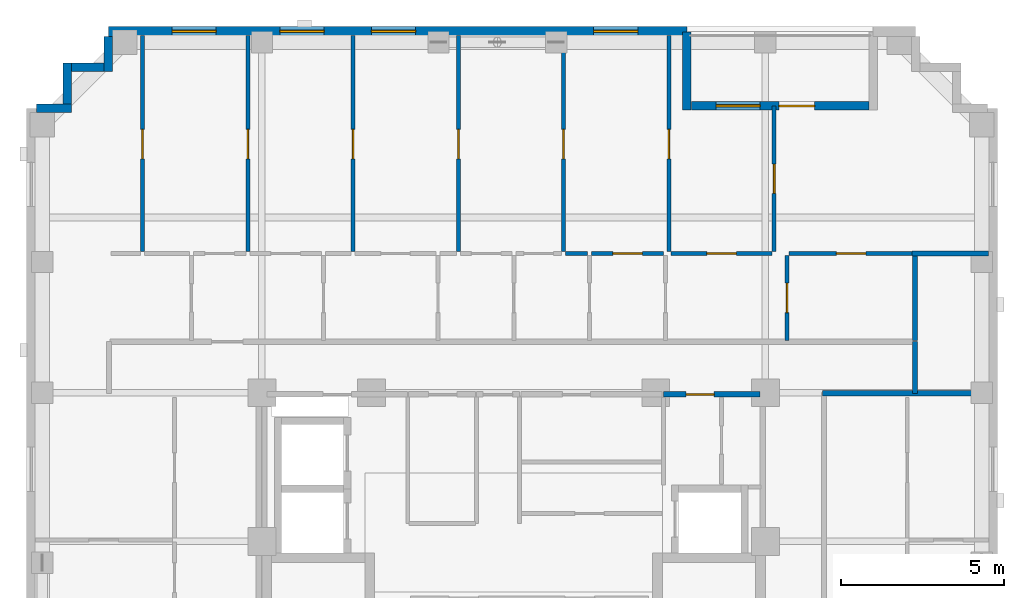
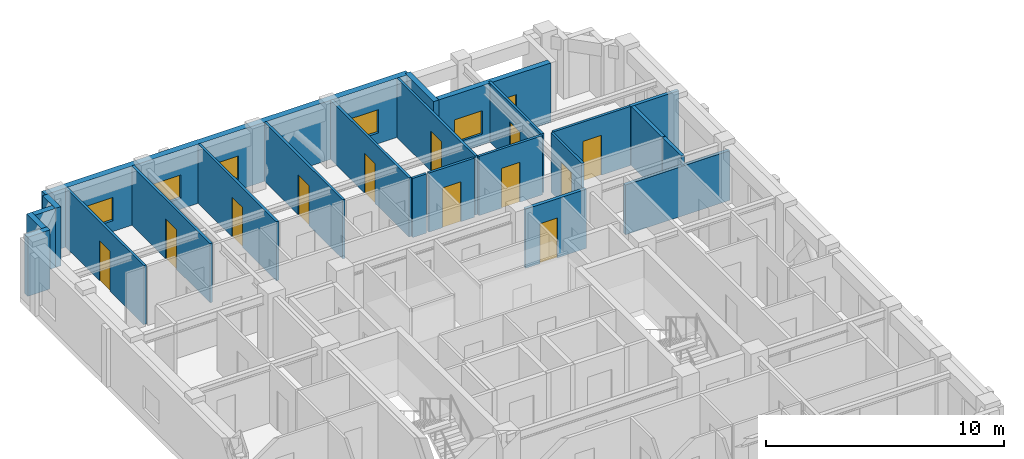
# One storey, part 7 of 11: 24 walls, 13 doors, 5 windows, 18 openings.
"""IFC4 building model written with IfcOpenShell, lengths in metres."""

from ifc_helpers import new_model, si_unit, derived_unit, direction, frame, frame_2d, origin, place, context, subcontext, project, spatial, rectangle, extrude, material, layer, layer_set, type_object, element, fill, save


model = new_model("IFC4")

# Units and contexts
model_context = context("Model", 3, precision=1e-05, world=origin(), true_north=direction((0.0, 1.0)))
body_context = subcontext(model_context, "Body", "Model", "MODEL_VIEW")
ifc_project = project(units=[si_unit("LENGTHUNIT", "METRE"), si_unit("AREAUNIT", "SQUARE_METRE"), si_unit("VOLUMEUNIT", "CUBIC_METRE"), si_unit("PLANEANGLEUNIT", "RADIAN"), si_unit("MASSUNIT", "GRAM", prefix="KILO"), derived_unit("THERMALTRANSMITTANCEUNIT", [(si_unit("MASSUNIT", "GRAM", prefix="KILO"), 1), (si_unit("TIMEUNIT", "SECOND"), -3), (si_unit("THERMODYNAMICTEMPERATUREUNIT", "KELVIN"), -1)])], contexts=[model_context])

# Site, building, storey
site_placement = place(None, origin())
site = spatial("IfcSite", under=ifc_project, at=site_placement, CompositionType="ELEMENT")
building_placement = place(site_placement, origin())
building = spatial("IfcBuilding", under=site, at=building_placement, Name="Korrvale Station Residences", CompositionType="ELEMENT")
storey_placement = place(building_placement, frame((0.0, 0.0, 194.199951171875)))
storey = spatial("IfcBuildingStorey", under=building, at=storey_placement, Name="L56", CompositionType="ELEMENT", Elevation=194.199951171875)

# Wall
ifc_material_1 = material(Name="Precast concrete C45/55", Category="concrete")
ifc_layer_1 = layer(ifc_material_1, 0.260009765625, Name="Precast concrete C45/55")
ifc_layer_set_1 = layer_set([ifc_layer_1], Name="Precast concrete C45/55")
wall_type_1 = type_object("IfcWallType", Name="WAL-EXT-LOG260", PredefinedType="SOLIDWALL", material=ifc_layer_set_1)
wall_1_placement = place(storey_placement, frame((30.800048828125, 40.0400390625, 0.0), z_axis=(0.0, 0.0, 1.0), x_axis=(0.0, -1.0, 0.0)))
element("IfcWall", 1, at=wall_1_placement, inside=storey, type_object=wall_type_1, Name="L56 Recessed Loggia Wall BAL-L56-N1-L", PredefinedType="SOLIDWALL", context=body_context, shape_type="SweptSolid", body=[
    extrude(rectangle(XDim=2.400146484375, YDim=0.260009765625, at=frame_2d((1.2001953125, 0.0))), origin(), (0.0, 0.0, 1.0), 3.0400390625),
])

# Wall, openings, door, window
wall_2_placement = place(storey_placement, frame((30.93408203125, 37.77001953125, 0.0), z_axis=(0.0, 0.0, 1.0), x_axis=(1.0, 0.0, 0.0)))
wall_2 = element("IfcWall", 2, at=wall_2_placement, inside=storey, type_object=wall_type_1, Name="L56 Recessed Loggia Wall BAL-L56-N1-B", PredefinedType="SOLIDWALL", context=body_context, shape_type="SweptSolid", body=[
    extrude(rectangle(XDim=5.431884765625, YDim=0.260009765625, at=frame_2d((2.7158203125, 0.0))), origin(), (0.0, 0.0, 1.0), 3.0400390625),
])
opening_1_placement = place(wall_2_placement, frame((2.676025390625, 0.0, 0.0)))
opening_1 = element("IfcOpeningElement", 3, at=opening_1_placement, cuts=wall_2, Name="Opening BD-01", PredefinedType="OPENING", context=body_context, shape_type="SweptSolid", body=[
    extrude(rectangle(XDim=1.10009765625, YDim=2.0, at=frame_2d((0.550048828125, 1.0))), frame((0.0, 0.14013671875, 0.0), z_axis=(0.0, -1.0, 0.0), x_axis=(1.0, 0.0, 0.0)), (0.0, 0.0, 1.0), 0.280029296875),
])
opening_2_placement = place(wall_2_placement, frame((0.758056640625, 0.0, 0.550048828125)))
opening_2 = element("IfcOpeningElement", 4, at=opening_2_placement, cuts=wall_2, Name="Opening W-10", PredefinedType="OPENING", context=body_context, shape_type="SweptSolid", body=[
    extrude(rectangle(XDim=1.35009765625, YDim=1.199951171875, at=frame_2d((0.675048828125, 0.60009765625))), frame((0.0, 0.14013671875, 0.0), z_axis=(0.0, -1.0, 0.0), x_axis=(1.0, 0.0, 0.0)), (0.0, 0.0, 1.0), 0.280029296875),
])
ifc_material_2 = material(Name="Exterior thermally broken aluminium glazed balcony door", Category="aluminium")
door_type_1 = type_object("IfcDoorType", Name="DR-EXT-BAL", OperationType="NOTDEFINED", PredefinedType="DOOR", material=ifc_material_2)
door_1_placement = place(opening_1_placement, origin())
door_1 = element("IfcDoor", 5, at=door_1_placement, inside=storey, type_object=door_type_1, Name="L56 Loggia Balcony Door BAL-L56-N1", OperationType="SINGLE_SWING_RIGHT", OverallHeight=2.0, OverallWidth=1.10009765625, PredefinedType="DOOR", context=body_context, shape_type="SweptSolid", body=[
    extrude(rectangle(XDim=1.10009765625, YDim=2.0, at=frame_2d((0.550048828125, 1.0))), frame((0.0, 0.02490234375, 0.0), z_axis=(0.0, -1.0, 0.0), x_axis=(1.0, 0.0, 0.0)), (0.0, 0.0, 1.0), 0.050048828125),
])
fill(opening_1, door_1)
ifc_material_3 = material(Name="Thermally broken aluminium frame with triple low-e glazing", Category="aluminium")
window_type = type_object("IfcWindowType", Name="WIN-W10", PartitioningType="SINGLE_PANEL", PredefinedType="WINDOW", material=ifc_material_3)
window_1_placement = place(opening_2_placement, origin())
window_1 = element("IfcWindow", 6, at=window_1_placement, inside=storey, type_object=window_type, Name="L56 Punched Window 11", OverallHeight=1.199951171875, OverallWidth=1.35009765625, PartitioningType="SINGLE_PANEL", PredefinedType="WINDOW", context=body_context, shape_type="SweptSolid", body=[
    extrude(rectangle(XDim=1.35009765625, YDim=1.199951171875, at=frame_2d((0.675048828125, 0.60009765625))), frame((0.0, 0.030029296875, 0.0), z_axis=(0.0, -1.0, 0.0), x_axis=(1.0, 0.0, 0.0)), (0.0, 0.0, 1.0), 0.06005859375),
])
fill(opening_2, window_1)

# Walls
wall_3_placement = place(storey_placement, frame((10.902099609375, 37.699951171875, 0.0), z_axis=(0.0, 0.0, 1.0), x_axis=(1.0, 0.0, 0.0)))
element("IfcWall", 7, at=wall_3_placement, inside=storey, type_object=wall_type_1, Name="L56 Serrated Corner Precast Step NW-1", PredefinedType="SOLIDWALL", context=body_context, shape_type="SweptSolid", body=[
    extrude(rectangle(XDim=1.077880859375, YDim=0.260009765625, at=frame_2d((0.5390625, 0.0))), origin(), (0.0, 0.0, 1.0), 3.0400390625),
])
wall_4_placement = place(storey_placement, frame((11.85009765625, 37.83203125, 0.0), z_axis=(0.0, 0.0, 1.0), x_axis=(0.0, 1.0, 0.0)))
element("IfcWall", 8, at=wall_4_placement, inside=storey, type_object=wall_type_1, Name="L56 Serrated Corner Precast Step NW-2", PredefinedType="SOLIDWALL", context=body_context, shape_type="SweptSolid", body=[
    extrude(rectangle(XDim=1.248046875, YDim=0.260009765625, at=frame_2d((0.6240234375, 0.0))), origin(), (0.0, 0.0, 1.0), 3.0400390625),
])
wall_5_placement = place(storey_placement, frame((11.98193359375, 38.949951171875, 0.0), z_axis=(0.0, 0.0, 1.0), x_axis=(1.0, 0.0, 0.0)))
element("IfcWall", 9, at=wall_5_placement, inside=storey, type_object=wall_type_1, Name="L56 Serrated Corner Precast Step NW-3", PredefinedType="SOLIDWALL", context=body_context, shape_type="SweptSolid", body=[
    extrude(rectangle(XDim=0.986083984375, YDim=0.260009765625, at=frame_2d((0.4931640625, 0.0))), origin(), (0.0, 0.0, 1.0), 3.0400390625),
])
wall_6_placement = place(storey_placement, frame((13.10009765625, 38.820068359375, 0.0), z_axis=(0.0, 0.0, 1.0), x_axis=(0.0, 1.0, 0.0)))
element("IfcWall", 10, at=wall_6_placement, inside=storey, type_object=wall_type_1, Name="L56 Serrated Corner Precast Step NW-4", PredefinedType="SOLIDWALL", context=body_context, shape_type="SweptSolid", body=[
    extrude(rectangle(XDim=1.077880859375, YDim=0.260009765625, at=frame_2d((0.5390625, 0.0))), origin(), (0.0, 0.0, 1.0), 3.0400390625),
])

# Wall, openings, windows
ifc_layer_2 = layer(ifc_material_1, 0.300048828125, Name="Precast concrete C45/55")
ifc_layer_set_2 = layer_set([ifc_layer_2], Name="Precast concrete C45/55")
wall_type_2 = type_object("IfcWallType", Name="WAL-EXT-PC300", PredefinedType="SOLIDWALL", material=ifc_layer_set_2)
wall_7_placement = place(storey_placement, frame((13.10009765625, 40.050048828125, 0.0), z_axis=(0.0, 0.0, 1.0), x_axis=(1.0, 0.0, 0.0)))
wall_7 = element("IfcWall", 11, at=wall_7_placement, inside=storey, type_object=wall_type_2, Name="L56 North Exterior Precast Wall 1", PredefinedType="SOLIDWALL", context=body_context, shape_type="SweptSolid", body=[
    extrude(rectangle(XDim=17.699951171875, YDim=0.300048828125, at=frame_2d((8.85009765625, 0.0))), origin(), (0.0, 0.0, 1.0), 3.0400390625),
])
opening_3_placement = place(wall_7_placement, frame((1.949951171875, 0.0, 0.550048828125)))
opening_3 = element("IfcOpeningElement", 12, at=opening_3_placement, cuts=wall_7, Name="Opening W-10", PredefinedType="OPENING", context=body_context, shape_type="SweptSolid", body=[
    extrude(rectangle(XDim=1.35009765625, YDim=1.199951171875, at=frame_2d((0.675048828125, 0.60009765625))), frame((0.0, 0.16015625, 0.0), z_axis=(0.0, -1.0, 0.0), x_axis=(1.0, 0.0, 0.0)), (0.0, 0.0, 1.0), 0.320068359375),
])
opening_4_placement = place(wall_7_placement, frame((5.25, 0.0, 0.550048828125)))
opening_4 = element("IfcOpeningElement", 13, at=opening_4_placement, cuts=wall_7, Name="Opening W-10", PredefinedType="OPENING", context=body_context, shape_type="SweptSolid", body=[
    extrude(rectangle(XDim=1.35009765625, YDim=1.199951171875, at=frame_2d((0.675048828125, 0.60009765625))), frame((0.0, 0.16015625, 0.0), z_axis=(0.0, -1.0, 0.0), x_axis=(1.0, 0.0, 0.0)), (0.0, 0.0, 1.0), 0.320068359375),
])
opening_5_placement = place(wall_7_placement, frame((8.050048828125, 0.0, 0.550048828125)))
opening_5 = element("IfcOpeningElement", 14, at=opening_5_placement, cuts=wall_7, Name="Opening W-10", PredefinedType="OPENING", context=body_context, shape_type="SweptSolid", body=[
    extrude(rectangle(XDim=1.35009765625, YDim=1.199951171875, at=frame_2d((0.675048828125, 0.60009765625))), frame((0.0, 0.16015625, 0.0), z_axis=(0.0, -1.0, 0.0), x_axis=(1.0, 0.0, 0.0)), (0.0, 0.0, 1.0), 0.320068359375),
])
opening_6_placement = place(wall_7_placement, frame((14.85009765625, 0.0, 0.550048828125)))
opening_6 = element("IfcOpeningElement", 15, at=opening_6_placement, cuts=wall_7, Name="Opening W-10", PredefinedType="OPENING", context=body_context, shape_type="SweptSolid", body=[
    extrude(rectangle(XDim=1.35009765625, YDim=1.199951171875, at=frame_2d((0.675048828125, 0.60009765625))), frame((0.0, 0.16015625, 0.0), z_axis=(0.0, -1.0, 0.0), x_axis=(1.0, 0.0, 0.0)), (0.0, 0.0, 1.0), 0.320068359375),
])
window_2_placement = place(opening_3_placement, origin())
window_2 = element("IfcWindow", 16, at=window_2_placement, inside=storey, type_object=window_type, Name="L56 Punched Window 07", OverallHeight=1.199951171875, OverallWidth=1.35009765625, PartitioningType="SINGLE_PANEL", PredefinedType="WINDOW", context=body_context, shape_type="SweptSolid", body=[
    extrude(rectangle(XDim=1.35009765625, YDim=1.199951171875, at=frame_2d((0.675048828125, 0.60009765625))), frame((0.0, 0.030029296875, 0.0), z_axis=(0.0, -1.0, 0.0), x_axis=(1.0, 0.0, 0.0)), (0.0, 0.0, 1.0), 0.06005859375),
])
fill(opening_3, window_2)
window_3_placement = place(opening_4_placement, origin())
window_3 = element("IfcWindow", 17, at=window_3_placement, inside=storey, type_object=window_type, Name="L56 Punched Window 08", OverallHeight=1.199951171875, OverallWidth=1.35009765625, PartitioningType="SINGLE_PANEL", PredefinedType="WINDOW", context=body_context, shape_type="SweptSolid", body=[
    extrude(rectangle(XDim=1.35009765625, YDim=1.199951171875, at=frame_2d((0.675048828125, 0.60009765625))), frame((0.0, 0.030029296875, 0.0), z_axis=(0.0, -1.0, 0.0), x_axis=(1.0, 0.0, 0.0)), (0.0, 0.0, 1.0), 0.06005859375),
])
fill(opening_4, window_3)
window_4_placement = place(opening_5_placement, origin())
window_4 = element("IfcWindow", 18, at=window_4_placement, inside=storey, type_object=window_type, Name="L56 Punched Window 09", OverallHeight=1.199951171875, OverallWidth=1.35009765625, PartitioningType="SINGLE_PANEL", PredefinedType="WINDOW", context=body_context, shape_type="SweptSolid", body=[
    extrude(rectangle(XDim=1.35009765625, YDim=1.199951171875, at=frame_2d((0.675048828125, 0.60009765625))), frame((0.0, 0.030029296875, 0.0), z_axis=(0.0, -1.0, 0.0), x_axis=(1.0, 0.0, 0.0)), (0.0, 0.0, 1.0), 0.06005859375),
])
fill(opening_5, window_4)
window_5_placement = place(opening_6_placement, origin())
window_5 = element("IfcWindow", 19, at=window_5_placement, inside=storey, type_object=window_type, Name="L56 Punched Window 10", OverallHeight=1.199951171875, OverallWidth=1.35009765625, PartitioningType="SINGLE_PANEL", PredefinedType="WINDOW", context=body_context, shape_type="SweptSolid", body=[
    extrude(rectangle(XDim=1.35009765625, YDim=1.199951171875, at=frame_2d((0.675048828125, 0.60009765625))), frame((0.0, 0.030029296875, 0.0), z_axis=(0.0, -1.0, 0.0), x_axis=(1.0, 0.0, 0.0)), (0.0, 0.0, 1.0), 0.06005859375),
])
fill(opening_6, window_5)

# Wall
ifc_material_4 = material(Name="Acoustic steel-stud gypsum board partition", Category="steel")
ifc_layer_3 = layer(ifc_material_4, 0.1201171875, Name="Acoustic steel-stud gypsum board partition")
ifc_layer_set_3 = layer_set([ifc_layer_3], Name="Acoustic steel-stud gypsum board partition")
wall_type_3 = type_object("IfcWallType", Name="WAL-PART-125", PredefinedType="PARTITIONING", material=ifc_layer_set_3)
wall_8_placement = place(storey_placement, frame((27.090087890625, 33.260009765625, 0.0), z_axis=(0.0, 0.0, 1.0), x_axis=(1.0, 0.0, 0.0)))
element("IfcWall", 20, at=wall_8_placement, inside=storey, type_object=wall_type_3, Name="L56 Suite Partition U03-H413", PredefinedType="PARTITIONING", context=body_context, shape_type="SweptSolid", body=[
    extrude(rectangle(XDim=0.6748046875, YDim=0.1201171875, at=frame_2d((0.33740234375, 0.0))), origin(), (0.0, 0.0, 1.0), 3.0400390625),
])

# Wall, opening, door
wall_9_placement = place(storey_placement, frame((27.885009765625, 33.260009765625, 0.0), z_axis=(0.0, 0.0, 1.0), x_axis=(1.0, 0.0, 0.0)))
wall_9 = element("IfcWall", 21, at=wall_9_placement, inside=storey, type_object=wall_type_3, Name="L56 Suite Partition U03-H513", PredefinedType="PARTITIONING", context=body_context, shape_type="SweptSolid", body=[
    extrude(rectangle(XDim=2.199951171875, YDim=0.1201171875, at=frame_2d((1.10009765625, 0.0))), origin(), (0.0, 0.0, 1.0), 3.0400390625),
])
opening_7_placement = place(wall_9_placement, frame((0.64990234375, 0.0, 0.0)))
opening_7 = element("IfcOpeningElement", 22, at=opening_7_placement, cuts=wall_9, Name="Opening DI-900", PredefinedType="OPENING", context=body_context, shape_type="SweptSolid", body=[
    extrude(rectangle(XDim=0.89990234375, YDim=2.050048828125, at=frame_2d((0.449951171875, 1.02490234375))), frame((0.0, 0.070068359375, 0.0), z_axis=(0.0, -1.0, 0.0), x_axis=(1.0, 0.0, 0.0)), (0.0, 0.0, 1.0), 0.14013671875),
])
ifc_material_5 = material(Name="Painted solid-core timber interior room door", Category="wood")
door_type_2 = type_object("IfcDoorType", Name="DR-INT-900", OperationType="NOTDEFINED", PredefinedType="DOOR", material=ifc_material_5)
door_2_placement = place(opening_7_placement, origin())
door_2 = element("IfcDoor", 23, at=door_2_placement, inside=storey, type_object=door_type_2, Name="L56 Studio Apartment L56-U03 Wardrobe Storage Room Door", OperationType="SINGLE_SWING_RIGHT", OverallHeight=2.050048828125, OverallWidth=0.89990234375, PredefinedType="DOOR", context=body_context, shape_type="SweptSolid", body=[
    extrude(rectangle(XDim=0.89990234375, YDim=2.050048828125, at=frame_2d((0.449951171875, 1.02490234375))), frame((0.0, 0.02490234375, 0.0), z_axis=(0.0, -1.0, 0.0), x_axis=(1.0, 0.0, 0.0)), (0.0, 0.0, 1.0), 0.050048828125),
])
fill(opening_7, door_2)

wall_10_placement = place(storey_placement, frame((33.864990234375, 30.60009765625, 0.0), z_axis=(0.0, 0.0, 1.0), x_axis=(0.0, 1.0, 0.0)))
wall_10 = element("IfcWall", 24, at=wall_10_placement, inside=storey, type_object=wall_type_3, Name="L56 Suite Partition U03-V67", PredefinedType="PARTITIONING", context=body_context, shape_type="SweptSolid", body=[
    extrude(rectangle(XDim=2.599853515625, YDim=0.1201171875, at=frame_2d((1.2998046875, 0.0))), origin(), (0.0, 0.0, 1.0), 3.0400390625),
])
opening_8_placement = place(wall_10_placement, frame((0.85009765625, 0.0, 0.0)))
opening_8 = element("IfcOpeningElement", 25, at=opening_8_placement, cuts=wall_10, Name="Opening DI-900", PredefinedType="OPENING", context=body_context, shape_type="SweptSolid", body=[
    extrude(rectangle(XDim=0.89990234375, YDim=2.050048828125, at=frame_2d((0.449951171875, 1.02490234375))), frame((0.0, 0.070068359375, 0.0), z_axis=(0.0, -1.0, 0.0), x_axis=(1.0, 0.0, 0.0)), (0.0, 0.0, 1.0), 0.14013671875),
])
door_3_placement = place(opening_8_placement, origin())
door_3 = element("IfcDoor", 26, at=door_3_placement, inside=storey, type_object=door_type_2, Name="L56 Studio Apartment L56-U03 Utility and Laundry Room Door", OperationType="SINGLE_SWING_LEFT", OverallHeight=2.050048828125, OverallWidth=0.89990234375, PredefinedType="DOOR", context=body_context, shape_type="SweptSolid", body=[
    extrude(rectangle(XDim=0.89990234375, YDim=2.050048828125, at=frame_2d((0.449951171875, 1.02490234375))), frame((0.0, 0.02490234375, 0.0), z_axis=(0.0, -1.0, 0.0), x_axis=(1.0, 0.0, 0.0)), (0.0, 0.0, 1.0), 0.050048828125),
])
fill(opening_8, door_3)

wall_11_placement = place(storey_placement, frame((30.31005859375, 33.260009765625, 0.0), z_axis=(0.0, 0.0, 1.0), x_axis=(1.0, 0.0, 0.0)))
wall_11 = element("IfcWall", 27, at=wall_11_placement, inside=storey, type_object=wall_type_3, Name="L56 Suite Partition U03-H614", PredefinedType="PARTITIONING", context=body_context, shape_type="SweptSolid", body=[
    extrude(rectangle(XDim=3.099853515625, YDim=0.1201171875, at=frame_2d((1.5498046875, 0.0))), origin(), (0.0, 0.0, 1.0), 3.0400390625),
])
opening_9_placement = place(wall_11_placement, frame((1.10009765625, 0.0, 0.0)))
opening_9 = element("IfcOpeningElement", 28, at=opening_9_placement, cuts=wall_11, Name="Opening DI-900", PredefinedType="OPENING", context=body_context, shape_type="SweptSolid", body=[
    extrude(rectangle(XDim=0.89990234375, YDim=2.050048828125, at=frame_2d((0.449951171875, 1.02490234375))), frame((0.0, 0.070068359375, 0.0), z_axis=(0.0, -1.0, 0.0), x_axis=(1.0, 0.0, 0.0)), (0.0, 0.0, 1.0), 0.14013671875),
])
door_4_placement = place(opening_9_placement, origin())
door_4 = element("IfcDoor", 29, at=door_4_placement, inside=storey, type_object=door_type_2, Name="L56 Studio Apartment L56-U03 Utility and Laundry Room Door", OperationType="SINGLE_SWING_RIGHT", OverallHeight=2.050048828125, OverallWidth=0.89990234375, PredefinedType="DOOR", context=body_context, shape_type="SweptSolid", body=[
    extrude(rectangle(XDim=0.89990234375, YDim=2.050048828125, at=frame_2d((0.449951171875, 1.02490234375))), frame((0.0, 0.02490234375, 0.0), z_axis=(0.0, -1.0, 0.0), x_axis=(1.0, 0.0, 0.0)), (0.0, 0.0, 1.0), 0.050048828125),
])
fill(opening_9, door_4)

wall_12_placement = place(storey_placement, frame((33.925048828125, 33.260009765625, 0.0), z_axis=(0.0, 0.0, 1.0), x_axis=(1.0, 0.0, 0.0)))
wall_12 = element("IfcWall", 30, at=wall_12_placement, inside=storey, type_object=wall_type_3, Name="L56 Suite Partition U03-H715", PredefinedType="PARTITIONING", context=body_context, shape_type="SweptSolid", body=[
    extrude(rectangle(XDim=3.794921875, YDim=0.1201171875, at=frame_2d((1.8974609375, 0.0))), origin(), (0.0, 0.0, 1.0), 3.0400390625),
])
opening_10_placement = place(wall_12_placement, frame((1.447998046875, 0.0, 0.0)))
opening_10 = element("IfcOpeningElement", 31, at=opening_10_placement, cuts=wall_12, Name="Opening DI-900", PredefinedType="OPENING", context=body_context, shape_type="SweptSolid", body=[
    extrude(rectangle(XDim=0.89990234375, YDim=2.050048828125, at=frame_2d((0.449951171875, 1.02490234375))), frame((0.0, 0.070068359375, 0.0), z_axis=(0.0, -1.0, 0.0), x_axis=(1.0, 0.0, 0.0)), (0.0, 0.0, 1.0), 0.14013671875),
])
door_5_placement = place(opening_10_placement, origin())
door_5 = element("IfcDoor", 32, at=door_5_placement, inside=storey, type_object=door_type_2, Name="L56 Studio Apartment L56-U03 Storage Closet 2 Door", OperationType="SINGLE_SWING_LEFT", OverallHeight=2.050048828125, OverallWidth=0.89990234375, PredefinedType="DOOR", context=body_context, shape_type="SweptSolid", body=[
    extrude(rectangle(XDim=0.89990234375, YDim=2.050048828125, at=frame_2d((0.449951171875, 1.02490234375))), frame((0.0, 0.02490234375, 0.0), z_axis=(0.0, -1.0, 0.0), x_axis=(1.0, 0.0, 0.0)), (0.0, 0.0, 1.0), 0.050048828125),
])
fill(opening_10, door_5)

wall_13_placement = place(storey_placement, frame((14.14990234375, 33.320068359375, 0.0), z_axis=(0.0, 0.0, 1.0), x_axis=(0.0, 1.0, 0.0)))
wall_13 = element("IfcWall", 33, at=wall_13_placement, inside=storey, type_object=wall_type_3, Name="L56 Suite Partition U03-V89", PredefinedType="PARTITIONING", context=body_context, shape_type="SweptSolid", body=[
    extrude(rectangle(XDim=6.599853515625, YDim=0.1201171875, at=frame_2d((3.2998046875, 0.0))), origin(), (0.0, 0.0, 1.0), 3.0400390625),
])
opening_11_placement = place(wall_13_placement, frame((2.8349609375, 0.0, 0.0)))
opening_11 = element("IfcOpeningElement", 34, at=opening_11_placement, cuts=wall_13, Name="Opening DI-900", PredefinedType="OPENING", context=body_context, shape_type="SweptSolid", body=[
    extrude(rectangle(XDim=0.89990234375, YDim=2.050048828125, at=frame_2d((0.449951171875, 1.02490234375))), frame((0.0, 0.070068359375, 0.0), z_axis=(0.0, -1.0, 0.0), x_axis=(1.0, 0.0, 0.0)), (0.0, 0.0, 1.0), 0.14013671875),
])
door_6_placement = place(opening_11_placement, origin())
door_6 = element("IfcDoor", 35, at=door_6_placement, inside=storey, type_object=door_type_2, Name="L56 Studio Apartment L56-U03 Walk-In Wardrobe Door", OperationType="SINGLE_SWING_RIGHT", OverallHeight=2.050048828125, OverallWidth=0.89990234375, PredefinedType="DOOR", context=body_context, shape_type="SweptSolid", body=[
    extrude(rectangle(XDim=0.89990234375, YDim=2.050048828125, at=frame_2d((0.449951171875, 1.02490234375))), frame((0.0, 0.02490234375, 0.0), z_axis=(0.0, -1.0, 0.0), x_axis=(1.0, 0.0, 0.0)), (0.0, 0.0, 1.0), 0.050048828125),
])
fill(opening_11, door_6)

wall_14_placement = place(storey_placement, frame((17.3701171875, 33.320068359375, 0.0), z_axis=(0.0, 0.0, 1.0), x_axis=(0.0, 1.0, 0.0)))
wall_14 = element("IfcWall", 36, at=wall_14_placement, inside=storey, type_object=wall_type_3, Name="L56 Suite Partition U03-V910", PredefinedType="PARTITIONING", context=body_context, shape_type="SweptSolid", body=[
    extrude(rectangle(XDim=6.599853515625, YDim=0.1201171875, at=frame_2d((3.2998046875, 0.0))), origin(), (0.0, 0.0, 1.0), 3.0400390625),
])
opening_12_placement = place(wall_14_placement, frame((2.8349609375, 0.0, 0.0)))
opening_12 = element("IfcOpeningElement", 37, at=opening_12_placement, cuts=wall_14, Name="Opening DI-900", PredefinedType="OPENING", context=body_context, shape_type="SweptSolid", body=[
    extrude(rectangle(XDim=0.89990234375, YDim=2.050048828125, at=frame_2d((0.449951171875, 1.02490234375))), frame((0.0, 0.070068359375, 0.0), z_axis=(0.0, -1.0, 0.0), x_axis=(1.0, 0.0, 0.0)), (0.0, 0.0, 1.0), 0.14013671875),
])
door_7_placement = place(opening_12_placement, origin())
door_7 = element("IfcDoor", 38, at=door_7_placement, inside=storey, type_object=door_type_2, Name="L56 Studio Apartment L56-U03 Formal Dining Room Door", OperationType="SINGLE_SWING_LEFT", OverallHeight=2.050048828125, OverallWidth=0.89990234375, PredefinedType="DOOR", context=body_context, shape_type="SweptSolid", body=[
    extrude(rectangle(XDim=0.89990234375, YDim=2.050048828125, at=frame_2d((0.449951171875, 1.02490234375))), frame((0.0, 0.02490234375, 0.0), z_axis=(0.0, -1.0, 0.0), x_axis=(1.0, 0.0, 0.0)), (0.0, 0.0, 1.0), 0.050048828125),
])
fill(opening_12, door_7)

wall_15_placement = place(storey_placement, frame((20.590087890625, 33.320068359375, 0.0), z_axis=(0.0, 0.0, 1.0), x_axis=(0.0, 1.0, 0.0)))
wall_15 = element("IfcWall", 39, at=wall_15_placement, inside=storey, type_object=wall_type_3, Name="L56 Suite Partition U03-V1011", PredefinedType="PARTITIONING", context=body_context, shape_type="SweptSolid", body=[
    extrude(rectangle(XDim=6.599853515625, YDim=0.1201171875, at=frame_2d((3.2998046875, 0.0))), origin(), (0.0, 0.0, 1.0), 3.0400390625),
])
opening_13_placement = place(wall_15_placement, frame((2.8349609375, 0.0, 0.0)))
opening_13 = element("IfcOpeningElement", 40, at=opening_13_placement, cuts=wall_15, Name="Opening DI-900", PredefinedType="OPENING", context=body_context, shape_type="SweptSolid", body=[
    extrude(rectangle(XDim=0.89990234375, YDim=2.050048828125, at=frame_2d((0.449951171875, 1.02490234375))), frame((0.0, 0.070068359375, 0.0), z_axis=(0.0, -1.0, 0.0), x_axis=(1.0, 0.0, 0.0)), (0.0, 0.0, 1.0), 0.14013671875),
])
door_8_placement = place(opening_13_placement, origin())
door_8 = element("IfcDoor", 41, at=door_8_placement, inside=storey, type_object=door_type_2, Name="L56 Studio Apartment L56-U03 Formal Dining Room Door", OperationType="SINGLE_SWING_RIGHT", OverallHeight=2.050048828125, OverallWidth=0.89990234375, PredefinedType="DOOR", context=body_context, shape_type="SweptSolid", body=[
    extrude(rectangle(XDim=0.89990234375, YDim=2.050048828125, at=frame_2d((0.449951171875, 1.02490234375))), frame((0.0, 0.02490234375, 0.0), z_axis=(0.0, -1.0, 0.0), x_axis=(1.0, 0.0, 0.0)), (0.0, 0.0, 1.0), 0.050048828125),
])
fill(opening_13, door_8)

wall_16_placement = place(storey_placement, frame((23.81005859375, 33.320068359375, 0.0), z_axis=(0.0, 0.0, 1.0), x_axis=(0.0, 1.0, 0.0)))
wall_16 = element("IfcWall", 42, at=wall_16_placement, inside=storey, type_object=wall_type_3, Name="L56 Suite Partition U03-V1112", PredefinedType="PARTITIONING", context=body_context, shape_type="SweptSolid", body=[
    extrude(rectangle(XDim=6.599853515625, YDim=0.1201171875, at=frame_2d((3.2998046875, 0.0))), origin(), (0.0, 0.0, 1.0), 3.0400390625),
])
opening_14_placement = place(wall_16_placement, frame((2.8349609375, 0.0, 0.0)))
opening_14 = element("IfcOpeningElement", 43, at=opening_14_placement, cuts=wall_16, Name="Opening DI-900", PredefinedType="OPENING", context=body_context, shape_type="SweptSolid", body=[
    extrude(rectangle(XDim=0.89990234375, YDim=2.050048828125, at=frame_2d((0.449951171875, 1.02490234375))), frame((0.0, 0.070068359375, 0.0), z_axis=(0.0, -1.0, 0.0), x_axis=(1.0, 0.0, 0.0)), (0.0, 0.0, 1.0), 0.14013671875),
])
door_9_placement = place(opening_14_placement, origin())
door_9 = element("IfcDoor", 44, at=door_9_placement, inside=storey, type_object=door_type_2, Name="L56 Studio Apartment L56-U03 Formal Dining Room Door", OperationType="SINGLE_SWING_LEFT", OverallHeight=2.050048828125, OverallWidth=0.89990234375, PredefinedType="DOOR", context=body_context, shape_type="SweptSolid", body=[
    extrude(rectangle(XDim=0.89990234375, YDim=2.050048828125, at=frame_2d((0.449951171875, 1.02490234375))), frame((0.0, 0.02490234375, 0.0), z_axis=(0.0, -1.0, 0.0), x_axis=(1.0, 0.0, 0.0)), (0.0, 0.0, 1.0), 0.050048828125),
])
fill(opening_14, door_9)

wall_17_placement = place(storey_placement, frame((27.030029296875, 33.320068359375, 0.0), z_axis=(0.0, 0.0, 1.0), x_axis=(0.0, 1.0, 0.0)))
wall_17 = element("IfcWall", 45, at=wall_17_placement, inside=storey, type_object=wall_type_3, Name="L56 Suite Partition U03-V1213", PredefinedType="PARTITIONING", context=body_context, shape_type="SweptSolid", body=[
    extrude(rectangle(XDim=6.599853515625, YDim=0.1201171875, at=frame_2d((3.2998046875, 0.0))), origin(), (0.0, 0.0, 1.0), 3.0400390625),
])
opening_15_placement = place(wall_17_placement, frame((2.8349609375, 0.0, 0.0)))
opening_15 = element("IfcOpeningElement", 46, at=opening_15_placement, cuts=wall_17, Name="Opening DI-900", PredefinedType="OPENING", context=body_context, shape_type="SweptSolid", body=[
    extrude(rectangle(XDim=0.89990234375, YDim=2.050048828125, at=frame_2d((0.449951171875, 1.02490234375))), frame((0.0, 0.070068359375, 0.0), z_axis=(0.0, -1.0, 0.0), x_axis=(1.0, 0.0, 0.0)), (0.0, 0.0, 1.0), 0.14013671875),
])
door_10_placement = place(opening_15_placement, origin())
door_10 = element("IfcDoor", 47, at=door_10_placement, inside=storey, type_object=door_type_2, Name="L56 Studio Apartment L56-U03 Walk-In Wardrobe Door", OperationType="SINGLE_SWING_RIGHT", OverallHeight=2.050048828125, OverallWidth=0.89990234375, PredefinedType="DOOR", context=body_context, shape_type="SweptSolid", body=[
    extrude(rectangle(XDim=0.89990234375, YDim=2.050048828125, at=frame_2d((0.449951171875, 1.02490234375))), frame((0.0, 0.02490234375, 0.0), z_axis=(0.0, -1.0, 0.0), x_axis=(1.0, 0.0, 0.0)), (0.0, 0.0, 1.0), 0.050048828125),
])
fill(opening_15, door_10)

wall_18_placement = place(storey_placement, frame((30.25, 33.320068359375, 0.0), z_axis=(0.0, 0.0, 1.0), x_axis=(0.0, 1.0, 0.0)))
wall_18 = element("IfcWall", 48, at=wall_18_placement, inside=storey, type_object=wall_type_3, Name="L56 Suite Partition U03-V1314", PredefinedType="PARTITIONING", context=body_context, shape_type="SweptSolid", body=[
    extrude(rectangle(XDim=6.599853515625, YDim=0.1201171875, at=frame_2d((3.2998046875, 0.0))), origin(), (0.0, 0.0, 1.0), 3.0400390625),
])
opening_16_placement = place(wall_18_placement, frame((2.8349609375, 0.0, 0.0)))
opening_16 = element("IfcOpeningElement", 49, at=opening_16_placement, cuts=wall_18, Name="Opening DI-900", PredefinedType="OPENING", context=body_context, shape_type="SweptSolid", body=[
    extrude(rectangle(XDim=0.89990234375, YDim=2.050048828125, at=frame_2d((0.449951171875, 1.02490234375))), frame((0.0, 0.070068359375, 0.0), z_axis=(0.0, -1.0, 0.0), x_axis=(1.0, 0.0, 0.0)), (0.0, 0.0, 1.0), 0.14013671875),
])
door_11_placement = place(opening_16_placement, origin())
door_11 = element("IfcDoor", 50, at=door_11_placement, inside=storey, type_object=door_type_2, Name="L56 Studio Apartment L56-U03 Formal Dining Room Door", OperationType="SINGLE_SWING_LEFT", OverallHeight=2.050048828125, OverallWidth=0.89990234375, PredefinedType="DOOR", context=body_context, shape_type="SweptSolid", body=[
    extrude(rectangle(XDim=0.89990234375, YDim=2.050048828125, at=frame_2d((0.449951171875, 1.02490234375))), frame((0.0, 0.02490234375, 0.0), z_axis=(0.0, -1.0, 0.0), x_axis=(1.0, 0.0, 0.0)), (0.0, 0.0, 1.0), 0.050048828125),
])
fill(opening_16, door_11)

wall_19_placement = place(storey_placement, frame((33.469970703125, 33.320068359375, 0.0), z_axis=(0.0, 0.0, 1.0), x_axis=(0.0, 1.0, 0.0)))
wall_19 = element("IfcWall", 51, at=wall_19_placement, inside=storey, type_object=wall_type_3, Name="L56 Suite Partition U03-V1415", PredefinedType="PARTITIONING", context=body_context, shape_type="SweptSolid", body=[
    extrude(rectangle(XDim=4.449951171875, YDim=0.1201171875, at=frame_2d((2.22509765625, 0.0))), origin(), (0.0, 0.0, 1.0), 3.0400390625),
])
opening_17_placement = place(wall_19_placement, frame((1.77490234375, 0.0, 0.0)))
opening_17 = element("IfcOpeningElement", 52, at=opening_17_placement, cuts=wall_19, Name="Opening DI-900", PredefinedType="OPENING", context=body_context, shape_type="SweptSolid", body=[
    extrude(rectangle(XDim=0.89990234375, YDim=2.050048828125, at=frame_2d((0.449951171875, 1.02490234375))), frame((0.0, 0.070068359375, 0.0), z_axis=(0.0, -1.0, 0.0), x_axis=(1.0, 0.0, 0.0)), (0.0, 0.0, 1.0), 0.14013671875),
])
door_12_placement = place(opening_17_placement, origin())
door_12 = element("IfcDoor", 53, at=door_12_placement, inside=storey, type_object=door_type_2, Name="L56 Studio Apartment L56-U03 Formal Dining Room Door", OperationType="SINGLE_SWING_RIGHT", OverallHeight=2.050048828125, OverallWidth=0.89990234375, PredefinedType="DOOR", context=body_context, shape_type="SweptSolid", body=[
    extrude(rectangle(XDim=0.89990234375, YDim=2.050048828125, at=frame_2d((0.449951171875, 1.02490234375))), frame((0.0, 0.02490234375, 0.0), z_axis=(0.0, -1.0, 0.0), x_axis=(1.0, 0.0, 0.0)), (0.0, 0.0, 1.0), 0.050048828125),
])
fill(opening_17, door_12)

ifc_material_6 = material(Name="Fire-rated twin-stud gypsum and mineral wool shaftwall assembly", Category="gypsum")
ifc_layer_4 = layer(ifc_material_6, 0.159912109375, Name="Fire-rated twin-stud gypsum and mineral wool shaftwall assembly")
ifc_layer_set_4 = layer_set([ifc_layer_4], Name="Fire-rated twin-stud gypsum and mineral wool shaftwall assembly")
wall_type_4 = type_object("IfcWallType", Name="WAL-PART-200", PredefinedType="PARTITIONING", material=ifc_layer_set_4)
wall_20_placement = place(storey_placement, frame((30.080078125, 28.949951171875, 0.0), z_axis=(0.0, 0.0, 1.0), x_axis=(1.0, 0.0, 0.0)))
wall_20 = element("IfcWall", 54, at=wall_20_placement, inside=storey, type_object=wall_type_4, Name="L56 Core Partition CW-CS-N", PredefinedType="PARTITIONING", context=body_context, shape_type="SweptSolid", body=[
    extrude(rectangle(XDim=2.9599609375, YDim=0.159912109375, at=frame_2d((1.47998046875, 0.0))), origin(), (0.0, 0.0, 1.0), 3.0400390625),
])
opening_18_placement = place(wall_20_placement, frame((0.695068359375, 0.0, 0.0)))
opening_18 = element("IfcOpeningElement", 55, at=opening_18_placement, cuts=wall_20, Name="Opening DB-860", PredefinedType="OPENING", context=body_context, shape_type="SweptSolid", body=[
    extrude(rectangle(XDim=0.860107421875, YDim=2.050048828125, at=frame_2d((0.43017578125, 1.02490234375))), frame((0.0, 0.08984375, 0.0), z_axis=(0.0, -1.0, 0.0), x_axis=(1.0, 0.0, 0.0)), (0.0, 0.0, 1.0), 0.179931640625),
])
ifc_material_7 = material(Name="Moisture-resistant solid-core bathroom door", Category="timber")
door_type_3 = type_object("IfcDoorType", Name="DR-BATH-860", OperationType="NOTDEFINED", PredefinedType="DOOR", material=ifc_material_7)
door_13_placement = place(opening_18_placement, origin())
door_13 = element("IfcDoor", 56, at=door_13_placement, inside=storey, type_object=door_type_3, Name="L56 Housekeeping Supply Door", OperationType="SINGLE_SWING_LEFT", OverallHeight=2.050048828125, OverallWidth=0.860107421875, PredefinedType="DOOR", context=body_context, shape_type="SweptSolid", body=[
    extrude(rectangle(XDim=0.860107421875, YDim=2.050048828125, at=frame_2d((0.43017578125, 1.02490234375))), frame((0.0, 0.02490234375, 0.0), z_axis=(0.0, -1.0, 0.0), x_axis=(1.0, 0.0, 0.0)), (0.0, 0.0, 1.0), 0.050048828125),
])
fill(opening_18, door_13)

# Walls
wall_21_placement = place(storey_placement, frame((37.780029296875, 28.97998046875, 0.0), z_axis=(0.0, 0.0, 1.0), x_axis=(0.0, 1.0, 0.0)))
element("IfcWall", 57, at=wall_21_placement, inside=storey, type_object=wall_type_4, Name="L56 Corridor North East Cap", PredefinedType="PARTITIONING", context=body_context, shape_type="SweptSolid", body=[
    extrude(rectangle(XDim=1.580078125, YDim=0.159912109375, at=frame_2d((0.7900390625, 0.0))), origin(), (0.0, 0.0, 1.0), 3.0400390625),
])
wall_22_placement = place(storey_placement, frame((34.949951171875, 28.97998046875, 0.0), z_axis=(0.0, 0.0, 1.0), x_axis=(1.0, 0.0, 0.0)))
element("IfcWall", 58, at=wall_22_placement, inside=storey, type_object=wall_type_4, Name="L56 East Wing North Corridor Wall", PredefinedType="PARTITIONING", context=body_context, shape_type="SweptSolid", body=[
    extrude(rectangle(XDim=5.070068359375, YDim=0.159912109375, at=frame_2d((2.53515625, 0.0))), origin(), (0.0, 0.0, 1.0), 2.55615234375),
])
wall_23_placement = place(storey_placement, frame((37.679931640625, 33.260009765625, 0.0), z_axis=(0.0, 0.0, 1.0), x_axis=(1.0, 0.0, 0.0)))
element("IfcWall", 59, at=wall_23_placement, inside=storey, type_object=wall_type_4, Name="L56 Corner Step Wall U03-R", PredefinedType="PARTITIONING", context=body_context, shape_type="SweptSolid", body=[
    extrude(rectangle(XDim=2.340087890625, YDim=0.159912109375, at=frame_2d((1.169921875, 0.0))), origin(), (0.0, 0.0, 1.0), 3.0400390625),
])
wall_24_placement = place(storey_placement, frame((37.780029296875, 30.60009765625, 0.0), z_axis=(0.0, 0.0, 1.0), x_axis=(0.0, 1.0, 0.0)))
element("IfcWall", 60, at=wall_24_placement, inside=storey, type_object=wall_type_4, Name="L56 Corner Step Cheek U03-R", PredefinedType="PARTITIONING", context=body_context, shape_type="SweptSolid", body=[
    extrude(rectangle(XDim=2.659912109375, YDim=0.159912109375, at=frame_2d((1.330078125, 0.0))), origin(), (0.0, 0.0, 1.0), 3.0400390625),
])

save(model, "model.ifc")
